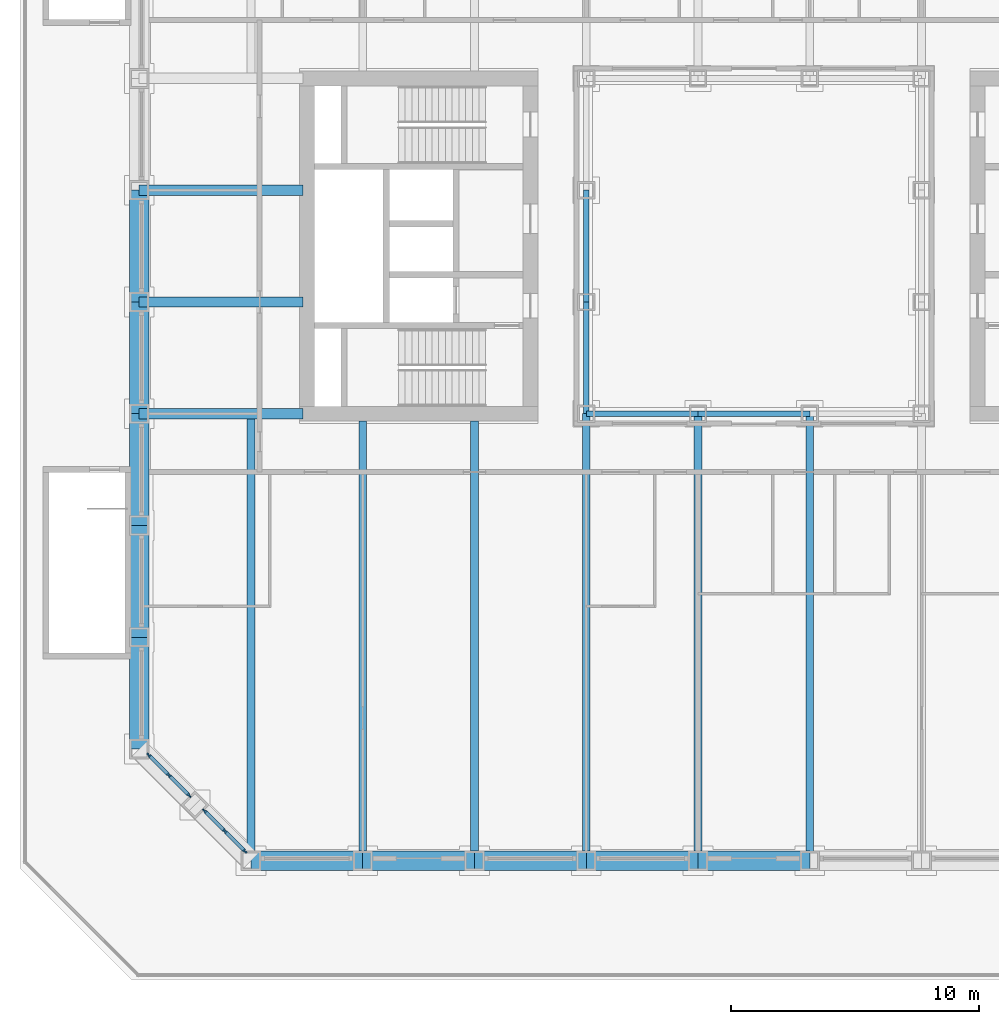
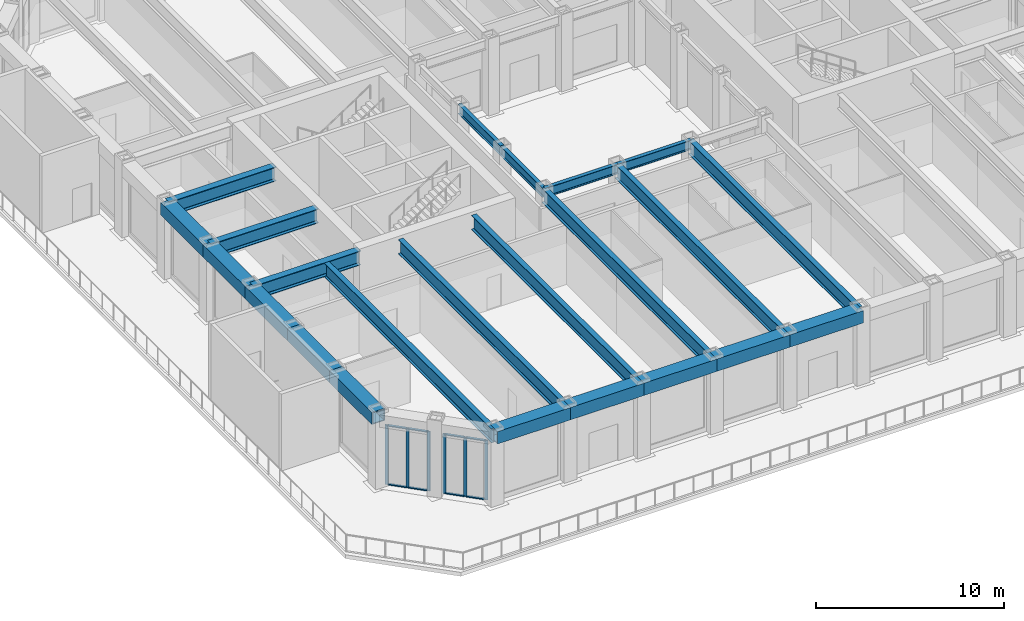
# One storey, part 2 of 18: 23 beams, 14 members, 2 elements without a shape of their own.
"""IFC4 building model written with IfcOpenShell, lengths in metres."""

from ifc_helpers import new_model, si_unit, direction, frame, origin, origin_2d, place, context, subcontext, project, spatial, rectangle, hollow_rectangle, i_section, extrude, material, material_profile, profile_set, type_object, element, aggregate, save


model = new_model("IFC4")

# Units and contexts
model_context = context("Model", 3, precision=1e-05, world=origin(), true_north=direction((0.0, 1.0)))
body_context = subcontext(model_context, "Body", "Model", "MODEL_VIEW")
ifc_project = project(units=[si_unit("LENGTHUNIT", "METRE"), si_unit("AREAUNIT", "SQUARE_METRE"), si_unit("VOLUMEUNIT", "CUBIC_METRE"), si_unit("PLANEANGLEUNIT", "RADIAN"), si_unit("MASSUNIT", "GRAM", prefix="KILO")], contexts=[model_context])

# Site, building, storey
site_placement = place(None, origin())
site = spatial("IfcSite", under=ifc_project, at=site_placement, CompositionType="ELEMENT")
building_placement = place(site_placement, origin())
building = spatial("IfcBuilding", under=site, at=building_placement, Name="Msasa Ring Tower", CompositionType="ELEMENT")
storey_placement = place(building_placement, frame((0.0, 0.0, 21.5)))
storey = spatial("IfcBuildingStorey", under=building, at=storey_placement, Name="L04", CompositionType="ELEMENT", Elevation=21.5)

# Curtain wall, members
ifc_material_1 = material(Name="Aluminium curtain wall with clear glass", Category="aluminium")
curtain_wall_type = type_object("IfcCurtainWallType", Name="CW-C CHAMFER CORNER CURTAIN WALL", PredefinedType="NOTDEFINED", material=ifc_material_1)
curtain_wall_1_placement = place(storey_placement, origin())
curtain_wall_1 = element("IfcCurtainWall", 1, at=curtain_wall_1_placement, inside=storey, type_object=curtain_wall_type, Name="Chamfer corner curtain wall SW L04", PredefinedType="NOTDEFINED")
ifc_material_2 = material(Name="Aluminium mullion", Category="aluminium")
ifc_material_profile_1 = material_profile(ifc_material_2, rectangle(XDim=0.06494140625, YDim=0.179931640625, at=origin_2d()), Name="AL 65x180")
ifc_profile_set_1 = profile_set([ifc_material_profile_1], Name="Aluminium mullion")
member_type_1 = type_object("IfcMemberType", Name="CW-C MULLION 65x180", PredefinedType="MULLION", material=ifc_profile_set_1)
member_1_placement = place(storey_placement, frame((-24.369873046875, -20.48876953125, 0.0), z_axis=(0.0, 0.0, 1.0), x_axis=(0.707106781187, 0.707106781187, 0.0)))
member_1 = element("IfcMember", 2, at=member_1_placement, type_object=member_type_1, Name="CW-C mullion 1", PredefinedType="MULLION", context=body_context, shape_type="SweptSolid", body=[
    extrude(rectangle(XDim=0.06494140625, YDim=0.179931640625, at=origin_2d()), origin(), (0.0, 0.0, 1.0), 3.87890625),
])
member_2_placement = place(storey_placement, frame((-23.55419921875, -21.30419921875, 0.0), z_axis=(0.0, 0.0, 1.0), x_axis=(0.707106781187, 0.707106781187, 0.0)))
member_2 = element("IfcMember", 3, at=member_2_placement, type_object=member_type_1, Name="CW-C mullion 2", PredefinedType="MULLION", context=body_context, shape_type="SweptSolid", body=[
    extrude(rectangle(XDim=0.06494140625, YDim=0.179931640625, at=origin_2d()), origin(), (0.0, 0.0, 1.0), 3.87890625),
])
member_3_placement = place(storey_placement, frame((-22.73876953125, -22.119873046875, 0.0), z_axis=(0.0, 0.0, 1.0), x_axis=(0.707106781187, 0.707106781187, 0.0)))
member_3 = element("IfcMember", 4, at=member_3_placement, type_object=member_type_1, Name="CW-C mullion 3", PredefinedType="MULLION", context=body_context, shape_type="SweptSolid", body=[
    extrude(rectangle(XDim=0.06494140625, YDim=0.179931640625, at=origin_2d()), origin(), (0.0, 0.0, 1.0), 3.87890625),
])

curtain_wall_2_placement = place(storey_placement, origin())
curtain_wall_2 = element("IfcCurtainWall", 5, at=curtain_wall_2_placement, inside=storey, type_object=curtain_wall_type, Name="Chamfer corner curtain wall SW L04", PredefinedType="NOTDEFINED")
member_4_placement = place(storey_placement, frame((-22.119873046875, -22.73876953125, 0.0), z_axis=(0.0, 0.0, 1.0), x_axis=(0.707106781187, 0.707106781187, 0.0)))
member_4 = element("IfcMember", 6, at=member_4_placement, type_object=member_type_1, Name="CW-C mullion 1", PredefinedType="MULLION", context=body_context, shape_type="SweptSolid", body=[
    extrude(rectangle(XDim=0.06494140625, YDim=0.179931640625, at=origin_2d()), origin(), (0.0, 0.0, 1.0), 3.87890625),
])
member_5_placement = place(storey_placement, frame((-21.30419921875, -23.55419921875, 0.0), z_axis=(0.0, 0.0, 1.0), x_axis=(0.707106781187, 0.707106781187, 0.0)))
member_5 = element("IfcMember", 7, at=member_5_placement, type_object=member_type_1, Name="CW-C mullion 2", PredefinedType="MULLION", context=body_context, shape_type="SweptSolid", body=[
    extrude(rectangle(XDim=0.06494140625, YDim=0.179931640625, at=origin_2d()), origin(), (0.0, 0.0, 1.0), 3.87890625),
])
member_6_placement = place(storey_placement, frame((-20.48876953125, -24.369873046875, 0.0), z_axis=(0.0, 0.0, 1.0), x_axis=(0.707106781187, 0.707106781187, 0.0)))
member_6 = element("IfcMember", 8, at=member_6_placement, type_object=member_type_1, Name="CW-C mullion 3", PredefinedType="MULLION", context=body_context, shape_type="SweptSolid", body=[
    extrude(rectangle(XDim=0.06494140625, YDim=0.179931640625, at=origin_2d()), origin(), (0.0, 0.0, 1.0), 3.87890625),
])

# Member
ifc_material_3 = material(Name="Aluminium transom", Category="aluminium")
ifc_material_profile_2 = material_profile(ifc_material_3, rectangle(XDim=0.139892578125, YDim=0.06494140625, at=origin_2d()), Name="AL 65x140")
ifc_profile_set_2 = profile_set([ifc_material_profile_2], Name="Aluminium transom")
member_type_2 = type_object("IfcMemberType", Name="CW-C TRANSOM 65x140", PredefinedType="USERDEFINED", material=ifc_profile_set_2)
member_7_placement = place(storey_placement, frame((-24.346923828125, -20.51171875, 0.032470703125), z_axis=(0.707106781187, -0.707106781187, 0.0), x_axis=(0.707106781187, 0.707106781187, 0.0)))
member_7 = element("IfcMember", 9, at=member_7_placement, type_object=member_type_2, Name="CW-C transom 1.1", ObjectType="TRANSOM", PredefinedType="USERDEFINED", context=body_context, shape_type="SweptSolid", body=[
    extrude(rectangle(XDim=0.139892578125, YDim=0.06494140625, at=origin_2d()), origin(), (0.0, 0.0, 1.0), 1.08837890625),
])

member_8_placement = place(storey_placement, frame((-24.346923828125, -20.51171875, 3.846435546875), z_axis=(0.707106781187, -0.707106781187, 0.0), x_axis=(0.707106781187, 0.707106781187, 0.0)))
member_8 = element("IfcMember", 10, at=member_8_placement, type_object=member_type_2, Name="CW-C transom 1.2", ObjectType="TRANSOM", PredefinedType="USERDEFINED", context=body_context, shape_type="SweptSolid", body=[
    extrude(rectangle(XDim=0.139892578125, YDim=0.06494140625, at=origin_2d()), origin(), (0.0, 0.0, 1.0), 1.08837890625),
])

member_9_placement = place(storey_placement, frame((-23.53125, -21.327392578125, 0.032470703125), z_axis=(0.707106781187, -0.707106781187, 0.0), x_axis=(0.707106781187, 0.707106781187, 0.0)))
member_9 = element("IfcMember", 11, at=member_9_placement, type_object=member_type_2, Name="CW-C transom 2.1", ObjectType="TRANSOM", PredefinedType="USERDEFINED", context=body_context, shape_type="SweptSolid", body=[
    extrude(rectangle(XDim=0.139892578125, YDim=0.06494140625, at=origin_2d()), origin(), (0.0, 0.0, 1.0), 1.08837890625),
])

member_10_placement = place(storey_placement, frame((-23.53125, -21.327392578125, 3.846435546875), z_axis=(0.707106781187, -0.707106781187, 0.0), x_axis=(0.707106781187, 0.707106781187, 0.0)))
member_10 = element("IfcMember", 12, at=member_10_placement, type_object=member_type_2, Name="CW-C transom 2.2", ObjectType="TRANSOM", PredefinedType="USERDEFINED", context=body_context, shape_type="SweptSolid", body=[
    extrude(rectangle(XDim=0.139892578125, YDim=0.06494140625, at=origin_2d()), origin(), (0.0, 0.0, 1.0), 1.08837890625),
])

aggregate(curtain_wall_1, [member_1, member_2, member_3, member_7, member_8, member_9, member_10])

member_11_placement = place(storey_placement, frame((-22.096923828125, -22.76171875, 0.032470703125), z_axis=(0.707106781187, -0.707106781187, 0.0), x_axis=(0.707106781187, 0.707106781187, 0.0)))
member_11 = element("IfcMember", 13, at=member_11_placement, type_object=member_type_2, Name="CW-C transom 1.1", ObjectType="TRANSOM", PredefinedType="USERDEFINED", context=body_context, shape_type="SweptSolid", body=[
    extrude(rectangle(XDim=0.139892578125, YDim=0.06494140625, at=origin_2d()), origin(), (0.0, 0.0, 1.0), 1.08837890625),
])

member_12_placement = place(storey_placement, frame((-22.096923828125, -22.76171875, 3.846435546875), z_axis=(0.707106781187, -0.707106781187, 0.0), x_axis=(0.707106781187, 0.707106781187, 0.0)))
member_12 = element("IfcMember", 14, at=member_12_placement, type_object=member_type_2, Name="CW-C transom 1.2", ObjectType="TRANSOM", PredefinedType="USERDEFINED", context=body_context, shape_type="SweptSolid", body=[
    extrude(rectangle(XDim=0.139892578125, YDim=0.06494140625, at=origin_2d()), origin(), (0.0, 0.0, 1.0), 1.08837890625),
])

member_13_placement = place(storey_placement, frame((-21.28125, -23.577392578125, 0.032470703125), z_axis=(0.707106781187, -0.707106781187, 0.0), x_axis=(0.707106781187, 0.707106781187, 0.0)))
member_13 = element("IfcMember", 15, at=member_13_placement, type_object=member_type_2, Name="CW-C transom 2.1", ObjectType="TRANSOM", PredefinedType="USERDEFINED", context=body_context, shape_type="SweptSolid", body=[
    extrude(rectangle(XDim=0.139892578125, YDim=0.06494140625, at=origin_2d()), origin(), (0.0, 0.0, 1.0), 1.08837890625),
])

member_14_placement = place(storey_placement, frame((-21.28125, -23.577392578125, 3.846435546875), z_axis=(0.707106781187, -0.707106781187, 0.0), x_axis=(0.707106781187, 0.707106781187, 0.0)))
member_14 = element("IfcMember", 16, at=member_14_placement, type_object=member_type_2, Name="CW-C transom 2.2", ObjectType="TRANSOM", PredefinedType="USERDEFINED", context=body_context, shape_type="SweptSolid", body=[
    extrude(rectangle(XDim=0.139892578125, YDim=0.06494140625, at=origin_2d()), origin(), (0.0, 0.0, 1.0), 1.08837890625),
])

aggregate(curtain_wall_2, [member_4, member_5, member_6, member_11, member_12, member_13, member_14])

# Beams
ifc_material_4 = material(Name="Steel S355", Category="steel")
ifc_material_profile_3 = material_profile(ifc_material_4, i_section(OverallWidth=0.42041015625, OverallDepth=0.9208984375, WebThickness=0.021484375, FlangeThickness=0.03662109375, FilletRadius=0.024169921875, at=origin_2d()), Name="UB 914x419x388")
ifc_profile_set_3 = profile_set([ifc_material_profile_3], Name="Steel S355")
beam_type_1 = type_object("IfcBeamType", Name="FB2 UB 914x419x388", PredefinedType="BEAM", material=ifc_profile_set_3)
for number, where, z_axis, x_axis, name in (
    (17, (-24.75, -2.25, 4.339599609375), (1.0, 0.0, 0.0), (0.0, 1.0, 0.0), "Floor beam W -2.25 under L05"),
    (18, (-24.75, 2.25, 4.339599609375), (1.0, 0.0, 0.0), (0.0, 1.0, 0.0), "Floor beam W +2.25 under L05"),
):
    element("IfcBeam", number, at=place(storey_placement, frame(where, z_axis=z_axis, x_axis=x_axis)), inside=storey, type_object=beam_type_1, Name=name, PredefinedType="BEAM", context=body_context, shape_type="SweptSolid", body=[
        extrude(i_section(OverallWidth=0.42041015625, OverallDepth=0.9208984375, WebThickness=0.021484375, FlangeThickness=0.03662109375, FilletRadius=0.024169921875, at=origin_2d()), origin(), (0.0, 0.0, 1.0), 6.60009765625),
    ])
ifc_material_5 = material(Name="Steel S355", Category="steel")
ifc_material_profile_4 = material_profile(ifc_material_5, i_section(OverallWidth=0.3076171875, OverallDepth=0.926513671875, WebThickness=0.01953125, FlangeThickness=0.031982421875, FilletRadius=0.01904296875, at=origin_2d()), Name="UB 914x305x289")
ifc_profile_set_4 = profile_set([ifc_material_profile_4], Name="Steel S355")
beam_type_2 = type_object("IfcBeamType", Name="FB3 UB 914x305x289", PredefinedType="BEAM", material=ifc_profile_set_4)
beam_1_placement = place(storey_placement, frame((-20.25, -24.75, 4.336669921875), z_axis=(0.0, 1.0, 0.0), x_axis=(-1.0, 0.0, 0.0)))
element("IfcBeam", 19, at=beam_1_placement, inside=storey, type_object=beam_type_2, Name="Floor beam S-20.25 under L05", PredefinedType="BEAM", context=body_context, shape_type="SweptSolid", body=[
    extrude(i_section(OverallWidth=0.3076171875, OverallDepth=0.926513671875, WebThickness=0.01953125, FlangeThickness=0.031982421875, FilletRadius=0.01904296875, at=origin_2d()), origin(), (0.0, 0.0, 1.0), 17.789794921875),
])
for number, where, z_axis, x_axis, name in (
    (20, (-15.75, -24.75, 4.336669921875), (0.0, 1.0, 0.0), (-1.0, 0.0, 0.0), "Floor beam S-15.75 under L05"),
    (21, (-11.25, -24.75, 4.336669921875), (0.0, 1.0, 0.0), (-1.0, 0.0, 0.0), "Floor beam S-11.25 under L05"),
):
    element("IfcBeam", number, at=place(storey_placement, frame(where, z_axis=z_axis, x_axis=x_axis)), inside=storey, type_object=beam_type_2, Name=name, PredefinedType="BEAM", context=body_context, shape_type="SweptSolid", body=[
        extrude(i_section(OverallWidth=0.3076171875, OverallDepth=0.926513671875, WebThickness=0.01953125, FlangeThickness=0.031982421875, FilletRadius=0.01904296875, at=origin_2d()), origin(), (0.0, 0.0, 1.0), 17.699951171875),
    ])
for number, where, z_axis, x_axis, name in (
    (22, (-6.75, -24.75, 4.336669921875), (0.0, 1.0, 0.0), (-1.0, 0.0, 0.0), "Floor beam S-6.75 under L05"),
    (23, (-2.25, -24.75, 4.336669921875), (0.0, 1.0, 0.0), (-1.0, 0.0, 0.0), "Floor beam S-2.25 under L05"),
    (24, (2.25, -24.75, 4.336669921875), (0.0, 1.0, 0.0), (-1.0, 0.0, 0.0), "Floor beam S+2.25 under L05"),
):
    element("IfcBeam", number, at=place(storey_placement, frame(where, z_axis=z_axis, x_axis=x_axis)), inside=storey, type_object=beam_type_2, Name=name, PredefinedType="BEAM", context=body_context, shape_type="SweptSolid", body=[
        extrude(i_section(OverallWidth=0.3076171875, OverallDepth=0.926513671875, WebThickness=0.01953125, FlangeThickness=0.031982421875, FilletRadius=0.01904296875, at=origin_2d()), origin(), (0.0, 0.0, 1.0), 18.0),
    ])
ifc_material_6 = material(Name="Steel S355", Category="steel")
ifc_material_profile_5 = material_profile(ifc_material_6, i_section(OverallWidth=0.42041015625, OverallDepth=0.9208984375, WebThickness=0.021484375, FlangeThickness=0.03662109375, FilletRadius=0.024169921875, at=origin_2d()), Name="UB 914x419x388")
ifc_profile_set_5 = profile_set([ifc_material_profile_5], Name="Steel S355")
beam_type_3 = type_object("IfcBeamType", Name="GB1 UB 914x419x388", PredefinedType="BEAM", material=ifc_profile_set_5)
beam_2_placement = place(storey_placement, frame((-18.14990234375, -6.75, 4.339599609375), z_axis=(-1.0, 0.0, 0.0), x_axis=(0.0, -1.0, 0.0)))
element("IfcBeam", 25, at=beam_2_placement, inside=storey, type_object=beam_type_3, Name="Girder W -6.75 under L05", PredefinedType="BEAM", context=body_context, shape_type="SweptSolid", body=[
    extrude(i_section(OverallWidth=0.42041015625, OverallDepth=0.9208984375, WebThickness=0.021484375, FlangeThickness=0.03662109375, FilletRadius=0.024169921875, at=origin_2d()), origin(), (0.0, 0.0, 1.0), 6.60009765625),
])
ifc_material_7 = material(Name="Steel S355", Category="steel")
ifc_material_profile_6 = material_profile(ifc_material_7, i_section(OverallWidth=0.230224609375, OverallDepth=0.6171875, WebThickness=0.01318359375, FlangeThickness=0.022216796875, FilletRadius=0.0126953125, at=origin_2d()), Name="UB 610x229x140")
ifc_profile_set_6 = profile_set([ifc_material_profile_6], Name="Steel S355")
beam_type_4 = type_object("IfcBeamType", Name="RB1 UB 610x229x140", PredefinedType="BEAM", material=ifc_profile_set_6)
for number, where, z_axis, x_axis, name in (
    (26, (-6.75, -2.25, 4.491455078125), (0.0, -1.0, 0.0), (1.0, 0.0, 0.0), "Inner ring beam IR-6.75-2.25 under L05"),
    (27, (-6.75, -6.75, 4.491455078125), (1.0, 0.0, 0.0), (0.0, 1.0, 0.0), "Inner ring beam IR-6.75-6.75 under L05"),
    (28, (-2.25, -6.75, 4.491455078125), (1.0, 0.0, 0.0), (0.0, 1.0, 0.0), "Inner ring beam IR-2.25-6.75 under L05"),
    (29, (-6.75, 2.25, 4.491455078125), (0.0, -1.0, 0.0), (1.0, 0.0, 0.0), "Inner ring beam IR-6.75+2.25 under L05"),
):
    element("IfcBeam", number, at=place(storey_placement, frame(where, z_axis=z_axis, x_axis=x_axis)), inside=storey, type_object=beam_type_4, Name=name, PredefinedType="BEAM", context=body_context, shape_type="SweptSolid", body=[
        extrude(i_section(OverallWidth=0.230224609375, OverallDepth=0.6171875, WebThickness=0.01318359375, FlangeThickness=0.022216796875, FilletRadius=0.0126953125, at=origin_2d()), origin(), (0.0, 0.0, 1.0), 4.5),
    ])
ifc_material_8 = material(Name="Steel S355", Category="steel")
ifc_material_profile_7 = material_profile(ifc_material_8, hollow_rectangle(XDim=0.800048828125, YDim=0.800048828125, WallThickness=0.06005859375, at=origin_2d()), Name="BOX 800x800x60")
ifc_profile_set_7 = profile_set([ifc_material_profile_7], Name="Steel S355")
beam_type_5 = type_object("IfcBeamType", Name="SB3 BOX 800x800x60", PredefinedType="SPANDREL", material=ifc_profile_set_7)
for number, where, z_axis, x_axis, name in (
    (30, (-24.75, -2.25, 4.39990234375), (0.0, -1.0, 0.0), (1.0, 0.0, 0.0), "Spandrel W-2.25 to W-6.75 under L05"),
    (31, (-24.75, -6.75, 4.39990234375), (0.0, -1.0, 0.0), (1.0, 0.0, 0.0), "Spandrel W-6.75 to W-11.25 under L05"),
    (32, (-24.75, -11.25, 4.39990234375), (0.0, -1.0, 0.0), (1.0, 0.0, 0.0), "Spandrel W-11.25 to W-15.75 under L05"),
    (33, (-24.75, -15.75, 4.39990234375), (0.0, -1.0, 0.0), (1.0, 0.0, 0.0), "Spandrel W-15.75 to W-20.25 under L05"),
    (34, (-20.25, -24.75, 4.39990234375), (1.0, 0.0, 0.0), (0.0, 1.0, 0.0), "Spandrel S-20.25 to S-15.75 under L05"),
    (35, (-15.75, -24.75, 4.39990234375), (1.0, 0.0, 0.0), (0.0, 1.0, 0.0), "Spandrel S-15.75 to S-11.25 under L05"),
    (36, (-11.25, -24.75, 4.39990234375), (1.0, 0.0, 0.0), (0.0, 1.0, 0.0), "Spandrel S-11.25 to S-6.75 under L05"),
    (37, (-6.75, -24.75, 4.39990234375), (1.0, 0.0, 0.0), (0.0, 1.0, 0.0), "Spandrel S-6.75 to S-2.25 under L05"),
    (38, (-2.25, -24.75, 4.39990234375), (1.0, 0.0, 0.0), (0.0, 1.0, 0.0), "Spandrel S-2.25 to S+2.25 under L05"),
    (39, (-24.75, 2.25, 4.39990234375), (0.0, -1.0, 0.0), (1.0, 0.0, 0.0), "Spandrel W+2.25 to W-2.25 under L05"),
):
    element("IfcBeam", number, at=place(storey_placement, frame(where, z_axis=z_axis, x_axis=x_axis)), inside=storey, type_object=beam_type_5, Name=name, PredefinedType="SPANDREL", context=body_context, shape_type="SweptSolid", body=[
        extrude(hollow_rectangle(XDim=0.800048828125, YDim=0.800048828125, WallThickness=0.06005859375, at=origin_2d()), origin(), (0.0, 0.0, 1.0), 4.5),
    ])

save(model, "model.ifc")
